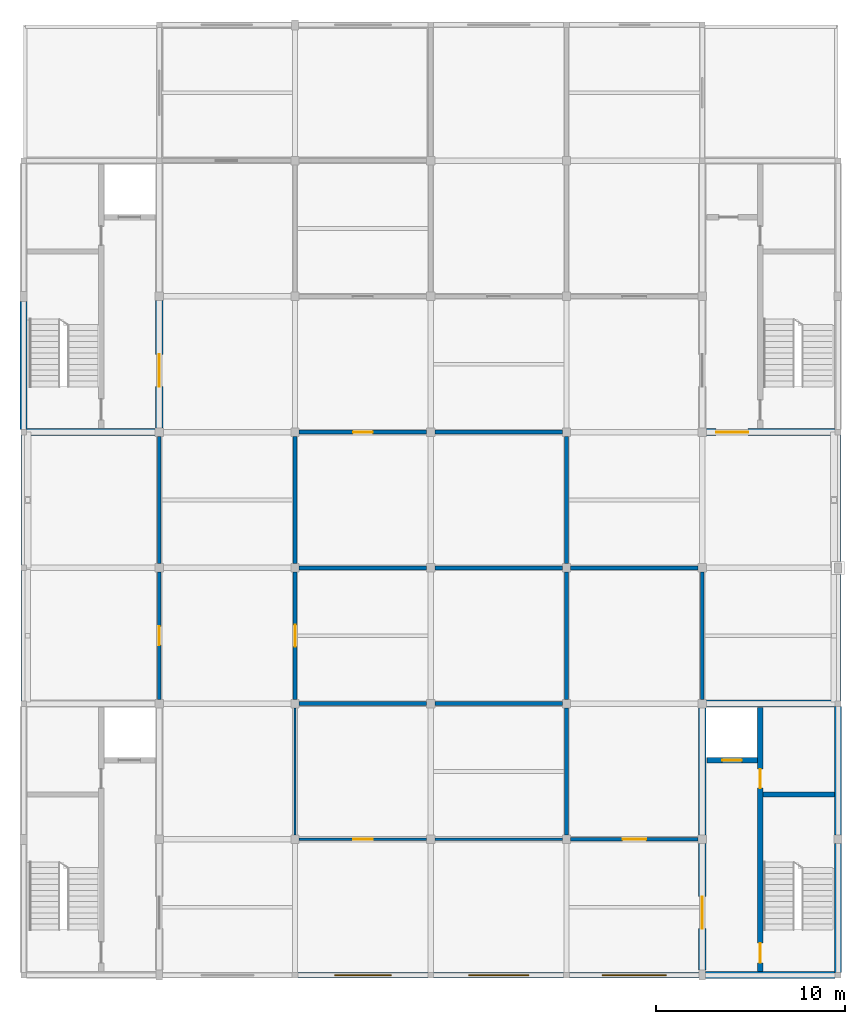
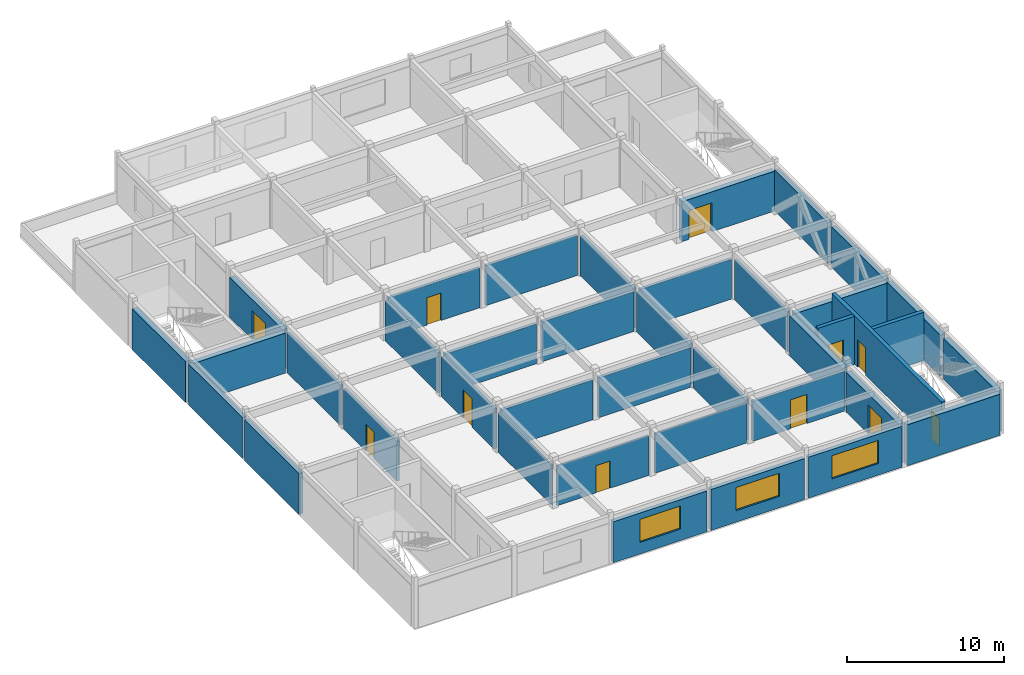
# One storey, part 3 of 6: 39 walls, 11 doors, 3 windows, 14 openings.
"""IFC4 building model written with IfcOpenShell, lengths in metres."""

from ifc_helpers import new_model, si_unit, direction, frame, frame_2d, origin, place, context, subcontext, project, spatial, rectangle, extrude, material, layer, layer_set, type_object, element, fill, save


model = new_model("IFC4")

# Units and contexts
model_context = context("Model", 3, precision=1e-05, world=origin(), true_north=direction((0.0, 1.0)))
body_context = subcontext(model_context, "Body", "Model", "MODEL_VIEW")
ifc_project = project(units=[si_unit("LENGTHUNIT", "METRE"), si_unit("AREAUNIT", "SQUARE_METRE"), si_unit("VOLUMEUNIT", "CUBIC_METRE"), si_unit("PLANEANGLEUNIT", "RADIAN"), si_unit("MASSUNIT", "GRAM", prefix="KILO")], contexts=[model_context])

# Site, building, storey
site_placement = place(None, origin())
site = spatial("IfcSite", under=ifc_project, at=site_placement, CompositionType="ELEMENT")
building_placement = place(site_placement, origin())
building = spatial("IfcBuilding", under=site, at=building_placement, Name="Cendaluz Park School", CompositionType="ELEMENT")
storey_placement = place(building_placement, frame((0.0, 0.0, 59.0)))
storey = spatial("IfcBuildingStorey", under=building, at=storey_placement, Name="L14", CompositionType="ELEMENT", Elevation=59.0)

# Wall, opening, door
ifc_material_1 = material(Name="Gypsum Plasterboard on Cold-Formed Stud", Category="gypsum")
ifc_layer_1 = layer(ifc_material_1, 0.199951171875)
ifc_layer_set_1 = layer_set([ifc_layer_1], Name="Gypsum Plasterboard on Cold-Formed Stud")
wall_type_1 = type_object("IfcWallType", Name="W-AC20", PredefinedType="PARTITIONING", material=ifc_layer_set_1)
wall_1_placement = place(storey_placement, frame((93.820068359375, 21.60009765625, 0.0), z_axis=(0.0, 0.0, 1.0), x_axis=(1.0, 0.0, 0.0)))
wall_1 = element("IfcWall", 1, at=wall_1_placement, inside=storey, type_object=wall_type_1, Name="WL-FO-BK7", PredefinedType="PARTITIONING", context=body_context, shape_type="SweptSolid", body=[
    extrude(rectangle(XDim=6.760009765625, YDim=0.199951171875, at=frame_2d((3.3798828125, 0.0))), origin(), (0.0, 0.0, 1.0), 3.110107421875),
])
opening_1_placement = place(wall_1_placement, frame((2.760009765625, 0.0, 0.0)))
opening_1 = element("IfcOpeningElement", 2, at=opening_1_placement, cuts=wall_1, Name="Opening DCL-09", PredefinedType="OPENING", context=body_context, shape_type="SweptSolid", body=[
    extrude(rectangle(XDim=1.239990234375, YDim=2.260009765625, at=frame_2d((0.6201171875, 1.1298828125))), frame((0.0, 0.112060546875, 0.0), z_axis=(0.0, -1.0, 0.0), x_axis=(1.0, 0.0, 0.0)), (0.0, 0.0, 1.0), 0.223876953125),
])
ifc_material_2 = material(Name="Solid Core Hardwood", Category="wood")
door_type_1 = type_object("IfcDoorType", Name="DCL-09", OperationType="NOTDEFINED", PredefinedType="DOOR", material=ifc_material_2)
door_1_placement = place(opening_1_placement, origin())
door_1 = element("IfcDoor", 3, at=door_1_placement, inside=storey, type_object=door_type_1, Name="D-L14-021", OperationType="SINGLE_SWING_RIGHT", OverallHeight=2.260009765625, OverallWidth=1.239990234375, PredefinedType="DOOR", context=body_context, shape_type="SweptSolid", body=[
    extrude(rectangle(XDim=1.239990234375, YDim=2.260009765625, at=frame_2d((0.6201171875, 1.1298828125))), frame((0.0, 0.02490234375, 0.0), z_axis=(0.0, -1.0, 0.0), x_axis=(1.0, 0.0, 0.0)), (0.0, 0.0, 1.0), 0.050048828125),
])
fill(opening_1, door_1)

# Walls
for number, where, z_axis, x_axis, name in (
    (4, (93.60009765625, 21.820068359375, 0.0), (0.0, 0.0, 1.0), (0.0, 1.0, 0.0), "WL-FO-BK8"),
    (5, (93.820068359375, 36.0, 0.0), (0.0, 0.0, 1.0), (1.0, 0.0, 0.0), "WL-FO-BK9"),
    (6, (100.800048828125, 29.02001953125, 0.0), (0.0, 0.0, 1.0), (0.0, 1.0, 0.0), "WL-FO-BL0"),
):
    element("IfcWall", number, at=place(storey_placement, frame(where, z_axis=z_axis, x_axis=x_axis)), inside=storey, type_object=wall_type_1, Name=name, PredefinedType="PARTITIONING", context=body_context, shape_type="SweptSolid", body=[
        extrude(rectangle(XDim=6.760009765625, YDim=0.199951171875, at=frame_2d((3.3798828125, 0.0))), origin(), (0.0, 0.0, 1.0), 3.110107421875),
    ])

# Wall, opening, door
wall_2_placement = place(storey_placement, frame((72.0, 29.02001953125, 0.0), z_axis=(0.0, 0.0, 1.0), x_axis=(0.0, 1.0, 0.0)))
wall_2 = element("IfcWall", 7, at=wall_2_placement, inside=storey, type_object=wall_type_1, Name="WL-FO-BL2", PredefinedType="PARTITIONING", context=body_context, shape_type="SweptSolid", body=[
    extrude(rectangle(XDim=6.760009765625, YDim=0.199951171875, at=frame_2d((3.3798828125, 0.0))), origin(), (0.0, 0.0, 1.0), 3.110107421875),
])
opening_2_placement = place(wall_2_placement, frame((2.8798828125, 0.0, 0.0)))
opening_2 = element("IfcOpeningElement", 8, at=opening_2_placement, cuts=wall_2, Name="Opening DCL-01", PredefinedType="OPENING", context=body_context, shape_type="SweptSolid", body=[
    extrude(rectangle(XDim=1.0, YDim=2.10009765625, at=frame_2d((0.5, 1.050048828125))), frame((0.0, 0.112060546875, 0.0), z_axis=(0.0, -1.0, 0.0), x_axis=(1.0, 0.0, 0.0)), (0.0, 0.0, 1.0), 0.223876953125),
])
door_type_2 = type_object("IfcDoorType", Name="DCL-01", OperationType="NOTDEFINED", PredefinedType="DOOR", material=ifc_material_2)
door_2_placement = place(opening_2_placement, origin())
door_2 = element("IfcDoor", 9, at=door_2_placement, inside=storey, type_object=door_type_2, Name="D-L14-023", OperationType="SINGLE_SWING_RIGHT", OverallHeight=2.10009765625, OverallWidth=1.0, PredefinedType="DOOR", context=body_context, shape_type="SweptSolid", body=[
    extrude(rectangle(XDim=1.0, YDim=2.10009765625, at=frame_2d((0.5, 1.050048828125))), frame((0.0, 0.02490234375, 0.0), z_axis=(0.0, -1.0, 0.0), x_axis=(1.0, 0.0, 0.0)), (0.0, 0.0, 1.0), 0.050048828125),
])
fill(opening_2, door_2)

# Wall
wall_3_placement = place(storey_placement, frame((72.0, 36.219970703125, 0.0), z_axis=(0.0, 0.0, 1.0), x_axis=(0.0, 1.0, 0.0)))
element("IfcWall", 10, at=wall_3_placement, inside=storey, type_object=wall_type_1, Name="WL-FO-BL3", PredefinedType="PARTITIONING", context=body_context, shape_type="SweptSolid", body=[
    extrude(rectangle(XDim=6.760009765625, YDim=0.199951171875, at=frame_2d((3.3798828125, 0.0))), origin(), (0.0, 0.0, 1.0), 3.110107421875),
])

# Wall, opening, door
wall_4_placement = place(storey_placement, frame((79.419921875, 43.199951171875, 0.0), z_axis=(0.0, 0.0, 1.0), x_axis=(1.0, 0.0, 0.0)))
wall_4 = element("IfcWall", 11, at=wall_4_placement, inside=storey, type_object=wall_type_1, Name="WL-FO-BL7", PredefinedType="PARTITIONING", context=body_context, shape_type="SweptSolid", body=[
    extrude(rectangle(XDim=6.760009765625, YDim=0.199951171875, at=frame_2d((3.3798828125, 0.0))), origin(), (0.0, 0.0, 1.0), 3.110107421875),
])
opening_3_placement = place(wall_4_placement, frame((2.860107421875, 0.0, 0.0)))
opening_3 = element("IfcOpeningElement", 12, at=opening_3_placement, cuts=wall_4, Name="Opening DCL-03", PredefinedType="OPENING", context=body_context, shape_type="SweptSolid", body=[
    extrude(rectangle(XDim=1.0400390625, YDim=2.139892578125, at=frame_2d((0.52001953125, 1.06982421875))), frame((0.0, 0.112060546875, 0.0), z_axis=(0.0, -1.0, 0.0), x_axis=(1.0, 0.0, 0.0)), (0.0, 0.0, 1.0), 0.223876953125),
])
door_type_3 = type_object("IfcDoorType", Name="DCL-03", OperationType="NOTDEFINED", PredefinedType="DOOR", material=ifc_material_2)
door_3_placement = place(opening_3_placement, frame((1.0400390625, 0.0, 0.0), z_axis=(0.0, 0.0, 1.0), x_axis=(-1.0, 0.0, 0.0)))
door_3 = element("IfcDoor", 13, at=door_3_placement, inside=storey, type_object=door_type_3, Name="D-L14-025", OperationType="SINGLE_SWING_RIGHT", OverallHeight=2.139892578125, OverallWidth=1.0400390625, PredefinedType="DOOR", context=body_context, shape_type="SweptSolid", body=[
    extrude(rectangle(XDim=1.0400390625, YDim=2.139892578125, at=frame_2d((0.52001953125, 1.06982421875))), frame((0.0, 0.02490234375, 0.0), z_axis=(0.0, -1.0, 0.0), x_axis=(1.0, 0.0, 0.0)), (0.0, 0.0, 1.0), 0.050048828125),
])
fill(opening_3, door_3)

# Walls
wall_5_placement = place(storey_placement, frame((79.199951171875, 36.219970703125, 0.0), z_axis=(0.0, 0.0, 1.0), x_axis=(0.0, 1.0, 0.0)))
element("IfcWall", 14, at=wall_5_placement, inside=storey, type_object=wall_type_1, Name="WL-FO-BL8", PredefinedType="PARTITIONING", context=body_context, shape_type="SweptSolid", body=[
    extrude(rectangle(XDim=6.760009765625, YDim=0.199951171875, at=frame_2d((3.3798828125, 0.0))), origin(), (0.0, 0.0, 1.0), 3.110107421875),
])
wall_6_placement = place(storey_placement, frame((86.6201171875, 43.199951171875, 0.0), z_axis=(0.0, 0.0, 1.0), x_axis=(1.0, 0.0, 0.0)))
element("IfcWall", 15, at=wall_6_placement, inside=storey, type_object=wall_type_1, Name="WL-FO-BL9", PredefinedType="PARTITIONING", context=body_context, shape_type="SweptSolid", body=[
    extrude(rectangle(XDim=6.759765625, YDim=0.199951171875, at=frame_2d((3.3798828125, 0.0))), origin(), (0.0, 0.0, 1.0), 3.110107421875),
])
wall_7_placement = place(storey_placement, frame((93.60009765625, 36.219970703125, 0.0), z_axis=(0.0, 0.0, 1.0), x_axis=(0.0, 1.0, 0.0)))
element("IfcWall", 16, at=wall_7_placement, inside=storey, type_object=wall_type_1, Name="WL-FO-BM0", PredefinedType="PARTITIONING", context=body_context, shape_type="SweptSolid", body=[
    extrude(rectangle(XDim=6.760009765625, YDim=0.199951171875, at=frame_2d((3.3798828125, 0.0))), origin(), (0.0, 0.0, 1.0), 3.110107421875),
])
ifc_material_3 = material(Name="Cross-laminated timber CLT C24", Category="wood")
ifc_layer_2 = layer(ifc_material_3, 0.300048828125)
ifc_layer_set_2 = layer_set([ifc_layer_2], Name="Cross-laminated timber CLT C24")
wall_type_2 = type_object("IfcWallType", Name="W-EX30", PredefinedType="SOLIDWALL", material=ifc_layer_set_2)
for number, where, z_axis, x_axis, name in (
    (17, (64.800048828125, 28.949951171875, 0.0), (0.0, 0.0, 1.0), (0.0, 1.0, 0.0), "WL-FO-AA0"),
    (18, (64.800048828125, 36.14990234375, 0.0), (0.0, 0.0, 1.0), (0.0, 1.0, 0.0), "WL-FO-AA1"),
):
    element("IfcWall", number, at=place(storey_placement, frame(where, z_axis=z_axis, x_axis=x_axis)), inside=storey, type_object=wall_type_2, Name=name, PredefinedType="SOLIDWALL", context=body_context, shape_type="SweptSolid", body=[
        extrude(rectangle(XDim=6.900146484375, YDim=0.300048828125, at=frame_2d((3.4501953125, 0.0))), origin(), (0.0, 0.0, 1.0), 3.18994140625),
    ])

# Wall, opening, window
wall_8_placement = place(storey_placement, frame((79.35009765625, 14.39990234375, 0.0), z_axis=(0.0, 0.0, 1.0), x_axis=(1.0, 0.0, 0.0)))
wall_8 = element("IfcWall", 19, at=wall_8_placement, inside=storey, type_object=wall_type_2, Name="WL-FO-AA5", PredefinedType="SOLIDWALL", context=body_context, shape_type="SweptSolid", body=[
    extrude(rectangle(XDim=6.89990234375, YDim=0.300048828125, at=frame_2d((3.449951171875, 0.0))), origin(), (0.0, 0.0, 1.0), 3.18994140625),
])
opening_4_placement = place(wall_8_placement, frame((1.949951171875, 0.0, 0.89990234375)))
opening_4 = element("IfcOpeningElement", 20, at=opening_4_placement, cuts=wall_8, Name="Opening WN-07", PredefinedType="OPENING", context=body_context, shape_type="SweptSolid", body=[
    extrude(rectangle(XDim=3.0, YDim=1.800048828125, at=frame_2d((1.5, 0.89990234375))), frame((0.0, 0.162109375, 0.0), z_axis=(0.0, -1.0, 0.0), x_axis=(1.0, 0.0, 0.0)), (0.0, 0.0, 1.0), 0.323974609375),
])
ifc_material_4 = material(Name="Tempered Low-E Double Glazing", Category="glass")
window_type_1 = type_object("IfcWindowType", Name="WN-07", PartitioningType="SINGLE_PANEL", PredefinedType="WINDOW", material=ifc_material_4)
window_1_placement = place(opening_4_placement, origin())
window_1 = element("IfcWindow", 21, at=window_1_placement, inside=storey, type_object=window_type_1, Name="WN-L14-004", OverallHeight=1.800048828125, OverallWidth=3.0, PartitioningType="SINGLE_PANEL", PredefinedType="WINDOW", context=body_context, shape_type="SweptSolid", body=[
    extrude(rectangle(XDim=3.0, YDim=1.800048828125, at=frame_2d((1.5, 0.89990234375))), frame((0.0, 0.030029296875, 0.0), z_axis=(0.0, -1.0, 0.0), x_axis=(1.0, 0.0, 0.0)), (0.0, 0.0, 1.0), 0.06005859375),
])
fill(opening_4, window_1)

wall_9_placement = place(storey_placement, frame((86.550048828125, 14.39990234375, 0.0), z_axis=(0.0, 0.0, 1.0), x_axis=(1.0, 0.0, 0.0)))
wall_9 = element("IfcWall", 22, at=wall_9_placement, inside=storey, type_object=wall_type_2, Name="WL-FO-AA7", PredefinedType="SOLIDWALL", context=body_context, shape_type="SweptSolid", body=[
    extrude(rectangle(XDim=6.89990234375, YDim=0.300048828125, at=frame_2d((3.449951171875, 0.0))), origin(), (0.0, 0.0, 1.0), 3.18994140625),
])
opening_5_placement = place(wall_9_placement, frame((1.85009765625, 0.0, 0.89990234375)))
opening_5 = element("IfcOpeningElement", 23, at=opening_5_placement, cuts=wall_9, Name="Opening WN-08", PredefinedType="OPENING", context=body_context, shape_type="SweptSolid", body=[
    extrude(rectangle(XDim=3.199951171875, YDim=1.800048828125, at=frame_2d((1.60009765625, 0.89990234375))), frame((0.0, 0.162109375, 0.0), z_axis=(0.0, -1.0, 0.0), x_axis=(1.0, 0.0, 0.0)), (0.0, 0.0, 1.0), 0.323974609375),
])
window_type_2 = type_object("IfcWindowType", Name="WN-08", PartitioningType="SINGLE_PANEL", PredefinedType="WINDOW", material=ifc_material_4)
window_2_placement = place(opening_5_placement, origin())
window_2 = element("IfcWindow", 24, at=window_2_placement, inside=storey, type_object=window_type_2, Name="WN-L14-006", OverallHeight=1.800048828125, OverallWidth=3.199951171875, PartitioningType="SINGLE_PANEL", PredefinedType="WINDOW", context=body_context, shape_type="SweptSolid", body=[
    extrude(rectangle(XDim=3.199951171875, YDim=1.800048828125, at=frame_2d((1.60009765625, 0.89990234375))), frame((0.0, 0.030029296875, 0.0), z_axis=(0.0, -1.0, 0.0), x_axis=(1.0, 0.0, 0.0)), (0.0, 0.0, 1.0), 0.06005859375),
])
fill(opening_5, window_2)

wall_10_placement = place(storey_placement, frame((93.75, 14.39990234375, 0.0), z_axis=(0.0, 0.0, 1.0), x_axis=(1.0, 0.0, 0.0)))
wall_10 = element("IfcWall", 25, at=wall_10_placement, inside=storey, type_object=wall_type_2, Name="WL-FO-AA9", PredefinedType="SOLIDWALL", context=body_context, shape_type="SweptSolid", body=[
    extrude(rectangle(XDim=6.8701171875, YDim=0.300048828125, at=frame_2d((3.43505859375, 0.0))), origin(), (0.0, 0.0, 1.0), 3.18994140625),
])
opening_6_placement = place(wall_10_placement, frame((1.735107421875, 0.0, 0.89990234375)))
opening_6 = element("IfcOpeningElement", 26, at=opening_6_placement, cuts=wall_10, Name="Opening WN-09", PredefinedType="OPENING", context=body_context, shape_type="SweptSolid", body=[
    extrude(rectangle(XDim=3.39990234375, YDim=1.800048828125, at=frame_2d((1.699951171875, 0.89990234375))), frame((0.0, 0.162109375, 0.0), z_axis=(0.0, -1.0, 0.0), x_axis=(1.0, 0.0, 0.0)), (0.0, 0.0, 1.0), 0.323974609375),
])
window_type_3 = type_object("IfcWindowType", Name="WN-09", PartitioningType="SINGLE_PANEL", PredefinedType="WINDOW", material=ifc_material_4)
window_3_placement = place(opening_6_placement, origin())
window_3 = element("IfcWindow", 27, at=window_3_placement, inside=storey, type_object=window_type_3, Name="WN-L14-008", OverallHeight=1.800048828125, OverallWidth=3.39990234375, PartitioningType="SINGLE_PANEL", PredefinedType="WINDOW", context=body_context, shape_type="SweptSolid", body=[
    extrude(rectangle(XDim=3.39990234375, YDim=1.800048828125, at=frame_2d((1.699951171875, 0.89990234375))), frame((0.0, 0.030029296875, 0.0), z_axis=(0.0, -1.0, 0.0), x_axis=(1.0, 0.0, 0.0)), (0.0, 0.0, 1.0), 0.06005859375),
])
fill(opening_6, window_3)

# Walls
for number, where, z_axis, x_axis, name in (
    (28, (108.0, 28.949951171875, 0.0), (0.0, 0.0, 1.0), (0.0, 1.0, 0.0), "WL-FO-AB2"),
    (29, (108.0, 36.260009765625, 0.0), (0.0, 0.0, 1.0), (0.0, 1.0, 0.0), "WL-FO-AB3"),
):
    element("IfcWall", number, at=place(storey_placement, frame(where, z_axis=z_axis, x_axis=x_axis)), inside=storey, type_object=wall_type_2, Name=name, PredefinedType="SOLIDWALL", context=body_context, shape_type="SweptSolid", body=[
        extrude(rectangle(XDim=6.7900390625, YDim=0.300048828125, at=frame_2d((3.39501953125, 0.0))), origin(), (0.0, 0.0, 1.0), 3.18994140625),
    ])

# Wall, openings, doors
ifc_material_5 = material(Name="Concrete C40/50", Category="concrete")
ifc_layer_3 = layer(ifc_material_5, 0.280029296875)
ifc_layer_set_3 = layer_set([ifc_layer_3], Name="Concrete C40/50")
wall_type_3 = type_object("IfcWallType", Name="W-FW28", PredefinedType="SHEAR", material=ifc_layer_set_3)
wall_11_placement = place(storey_placement, frame((103.8798828125, 14.60009765625, 0.0), z_axis=(0.0, 0.0, 1.0), x_axis=(0.0, 1.0, 0.0)))
wall_11 = element("IfcWall", 30, at=wall_11_placement, inside=storey, type_object=wall_type_3, Name="WL-FO-BH3", PredefinedType="SHEAR", context=body_context, shape_type="SweptSolid", body=[
    extrude(rectangle(XDim=14.0, YDim=0.280029296875, at=frame_2d((7.0, 0.0))), origin(), (0.0, 0.0, 1.0), 3.760009765625),
])
opening_7_placement = place(wall_11_placement, frame((0.449951171875, 0.0, 0.0)))
opening_7 = element("IfcOpeningElement", 31, at=opening_7_placement, cuts=wall_11, Name="Opening DST-02", PredefinedType="OPENING", context=body_context, shape_type="SweptSolid", body=[
    extrude(rectangle(XDim=1.050048828125, YDim=2.14990234375, at=frame_2d((0.52490234375, 1.074951171875))), frame((0.0, 0.152099609375, 0.0), z_axis=(0.0, -1.0, 0.0), x_axis=(1.0, 0.0, 0.0)), (0.0, 0.0, 1.0), 0.303955078125),
])
opening_8_placement = place(wall_11_placement, frame((9.719970703125, 0.0, 0.0)))
opening_8 = element("IfcOpeningElement", 32, at=opening_8_placement, cuts=wall_11, Name="Opening DFC-01", PredefinedType="OPENING", context=body_context, shape_type="SweptSolid", body=[
    extrude(rectangle(XDim=1.0, YDim=2.14990234375, at=frame_2d((0.5, 1.074951171875))), frame((0.0, 0.152099609375, 0.0), z_axis=(0.0, -1.0, 0.0), x_axis=(1.0, 0.0, 0.0)), (0.0, 0.0, 1.0), 0.303955078125),
])
door_type_4 = type_object("IfcDoorType", Name="DFC-01", OperationType="NOTDEFINED", PredefinedType="DOOR", material=ifc_material_2)
door_4_placement = place(opening_8_placement, frame((1.0, 0.0, 0.0), z_axis=(0.0, 0.0, 1.0), x_axis=(-1.0, 0.0, 0.0)))
door_4 = element("IfcDoor", 33, at=door_4_placement, inside=storey, type_object=door_type_4, Name="D-L14-007", OperationType="SINGLE_SWING_RIGHT", OverallHeight=2.14990234375, OverallWidth=1.0, PredefinedType="DOOR", context=body_context, shape_type="SweptSolid", body=[
    extrude(rectangle(XDim=1.0, YDim=2.14990234375, at=frame_2d((0.5, 1.074951171875))), frame((0.0, 0.02490234375, 0.0), z_axis=(0.0, -1.0, 0.0), x_axis=(1.0, 0.0, 0.0)), (0.0, 0.0, 1.0), 0.050048828125),
])
fill(opening_8, door_4)
door_type_5 = type_object("IfcDoorType", Name="DST-02", OperationType="NOTDEFINED", PredefinedType="DOOR", material=ifc_material_2)
door_5_placement = place(opening_7_placement, frame((1.050048828125, 0.0, 0.0), z_axis=(0.0, 0.0, 1.0), x_axis=(-1.0, 0.0, 0.0)))
door_5 = element("IfcDoor", 34, at=door_5_placement, inside=storey, type_object=door_type_5, Name="D-L14-006", OperationType="SINGLE_SWING_RIGHT", OverallHeight=2.14990234375, OverallWidth=1.050048828125, PredefinedType="DOOR", context=body_context, shape_type="SweptSolid", body=[
    extrude(rectangle(XDim=1.050048828125, YDim=2.14990234375, at=frame_2d((0.52490234375, 1.074951171875))), frame((0.0, 0.02490234375, 0.0), z_axis=(0.0, -1.0, 0.0), x_axis=(1.0, 0.0, 0.0)), (0.0, 0.0, 1.0), 0.050048828125),
])
fill(opening_7, door_5)

# Wall
wall_12_placement = place(storey_placement, frame((104.02001953125, 23.97998046875, 0.0), z_axis=(0.0, 0.0, 1.0), x_axis=(1.0, 0.0, 0.0)))
element("IfcWall", 35, at=wall_12_placement, inside=storey, type_object=wall_type_3, Name="WL-FO-BH4", PredefinedType="SHEAR", context=body_context, shape_type="SweptSolid", body=[
    extrude(rectangle(XDim=3.780029296875, YDim=0.280029296875, at=frame_2d((1.89013671875, 0.0))), origin(), (0.0, 0.0, 1.0), 3.760009765625),
])

# Wall, opening, door
wall_13_placement = place(storey_placement, frame((101.0400390625, 25.800048828125, 0.0), z_axis=(0.0, 0.0, 1.0), x_axis=(1.0, 0.0, 0.0)))
wall_13 = element("IfcWall", 36, at=wall_13_placement, inside=storey, type_object=wall_type_3, Name="WL-FO-BH5", PredefinedType="SHEAR", context=body_context, shape_type="SweptSolid", body=[
    extrude(rectangle(XDim=2.679931640625, YDim=0.280029296875, at=frame_2d((1.33984375, 0.0))), origin(), (0.0, 0.0, 1.0), 3.760009765625),
])
opening_9_placement = place(wall_13_placement, frame((0.81494140625, 0.0, 0.0)))
opening_9 = element("IfcOpeningElement", 37, at=opening_9_placement, cuts=wall_13, Name="Opening LD-02", PredefinedType="OPENING", context=body_context, shape_type="SweptSolid", body=[
    extrude(rectangle(XDim=1.050048828125, YDim=2.199951171875, at=frame_2d((0.52490234375, 1.10009765625))), frame((0.0, 0.152099609375, 0.0), z_axis=(0.0, -1.0, 0.0), x_axis=(1.0, 0.0, 0.0)), (0.0, 0.0, 1.0), 0.303955078125),
])
ifc_material_6 = material(Name="Stainless Steel 316L", Category="steel")
door_type_6 = type_object("IfcDoorType", Name="LD-02", OperationType="DOUBLE_DOOR_SLIDING", PredefinedType="DOOR", material=ifc_material_6)
door_6_placement = place(opening_9_placement, frame((1.050048828125, 0.0, 0.0), z_axis=(0.0, 0.0, 1.0), x_axis=(-1.0, 0.0, 0.0)))
door_6 = element("IfcDoor", 38, at=door_6_placement, inside=storey, type_object=door_type_6, Name="D-L14-008", OperationType="DOUBLE_DOOR_SLIDING", OverallHeight=2.199951171875, OverallWidth=1.050048828125, PredefinedType="DOOR", context=body_context, shape_type="SweptSolid", body=[
    extrude(rectangle(XDim=1.050048828125, YDim=2.199951171875, at=frame_2d((0.52490234375, 1.10009765625))), frame((0.0, 0.02490234375, 0.0), z_axis=(0.0, -1.0, 0.0), x_axis=(1.0, 0.0, 0.0)), (0.0, 0.0, 1.0), 0.050048828125),
])
fill(opening_9, door_6)

# Walls
ifc_layer_4 = layer(ifc_material_1, 0.219970703125)
ifc_layer_set_4 = layer_set([ifc_layer_4], Name="Gypsum Plasterboard on Cold-Formed Stud")
wall_type_4 = type_object("IfcWallType", Name="W-LB22", PredefinedType="PARTITIONING", material=ifc_layer_set_4)
for number, where, z_axis, x_axis, name in (
    (39, (79.419921875, 28.800048828125, 0.0), (0.0, 0.0, 1.0), (1.0, 0.0, 0.0), "WL-FO-BJ7"),
    (40, (79.419921875, 36.0, 0.0), (0.0, 0.0, 1.0), (1.0, 0.0, 0.0), "WL-FO-BJ8"),
):
    element("IfcWall", number, at=place(storey_placement, frame(where, z_axis=z_axis, x_axis=x_axis)), inside=storey, type_object=wall_type_4, Name=name, PredefinedType="PARTITIONING", context=body_context, shape_type="SweptSolid", body=[
        extrude(rectangle(XDim=6.760009765625, YDim=0.219970703125, at=frame_2d((3.3798828125, 0.0))), origin(), (0.0, 0.0, 1.0), 3.110107421875),
    ])

# Wall, opening, door
wall_14_placement = place(storey_placement, frame((79.199951171875, 29.02001953125, 0.0), z_axis=(0.0, 0.0, 1.0), x_axis=(0.0, 1.0, 0.0)))
wall_14 = element("IfcWall", 41, at=wall_14_placement, inside=storey, type_object=wall_type_4, Name="WL-FO-BJ9", PredefinedType="PARTITIONING", context=body_context, shape_type="SweptSolid", body=[
    extrude(rectangle(XDim=6.760009765625, YDim=0.219970703125, at=frame_2d((3.3798828125, 0.0))), origin(), (0.0, 0.0, 1.0), 3.110107421875),
])
opening_10_placement = place(wall_14_placement, frame((2.800048828125, 0.0, 0.0)))
opening_10 = element("IfcOpeningElement", 42, at=opening_10_placement, cuts=wall_14, Name="Opening DCL-07", PredefinedType="OPENING", context=body_context, shape_type="SweptSolid", body=[
    extrude(rectangle(XDim=1.159912109375, YDim=2.219970703125, at=frame_2d((0.580078125, 1.10986328125))), frame((0.0, 0.1220703125, 0.0), z_axis=(0.0, -1.0, 0.0), x_axis=(1.0, 0.0, 0.0)), (0.0, 0.0, 1.0), 0.243896484375),
])
door_type_7 = type_object("IfcDoorType", Name="DCL-07", OperationType="NOTDEFINED", PredefinedType="DOOR", material=ifc_material_2)
door_7_placement = place(opening_10_placement, origin())
door_7 = element("IfcDoor", 43, at=door_7_placement, inside=storey, type_object=door_type_7, Name="D-L14-019", OperationType="SINGLE_SWING_RIGHT", OverallHeight=2.219970703125, OverallWidth=1.159912109375, PredefinedType="DOOR", context=body_context, shape_type="SweptSolid", body=[
    extrude(rectangle(XDim=1.159912109375, YDim=2.219970703125, at=frame_2d((0.580078125, 1.10986328125))), frame((0.0, 0.02490234375, 0.0), z_axis=(0.0, -1.0, 0.0), x_axis=(1.0, 0.0, 0.0)), (0.0, 0.0, 1.0), 0.050048828125),
])
fill(opening_10, door_7)

# Walls
for number, where, z_axis, x_axis, name in (
    (44, (86.6201171875, 28.800048828125, 0.0), (0.0, 0.0, 1.0), (1.0, 0.0, 0.0), "WL-FO-BK0"),
    (45, (86.6201171875, 36.0, 0.0), (0.0, 0.0, 1.0), (1.0, 0.0, 0.0), "WL-FO-BK1"),
):
    element("IfcWall", number, at=place(storey_placement, frame(where, z_axis=z_axis, x_axis=x_axis)), inside=storey, type_object=wall_type_4, Name=name, PredefinedType="PARTITIONING", context=body_context, shape_type="SweptSolid", body=[
        extrude(rectangle(XDim=6.759765625, YDim=0.219970703125, at=frame_2d((3.3798828125, 0.0))), origin(), (0.0, 0.0, 1.0), 3.110107421875),
    ])
wall_15_placement = place(storey_placement, frame((93.60009765625, 29.02001953125, 0.0), z_axis=(0.0, 0.0, 1.0), x_axis=(0.0, 1.0, 0.0)))
element("IfcWall", 46, at=wall_15_placement, inside=storey, type_object=wall_type_4, Name="WL-FO-BK2", PredefinedType="PARTITIONING", context=body_context, shape_type="SweptSolid", body=[
    extrude(rectangle(XDim=6.760009765625, YDim=0.219970703125, at=frame_2d((3.3798828125, 0.0))), origin(), (0.0, 0.0, 1.0), 3.110107421875),
])

# Wall, opening, door
ifc_layer_5 = layer(ifc_material_1, 0.1201171875)
ifc_layer_set_5 = layer_set([ifc_layer_5], Name="Gypsum Plasterboard on Cold-Formed Stud")
wall_type_5 = type_object("IfcWallType", Name="W-MV12", PredefinedType="MOVABLE", material=ifc_layer_set_5)
wall_16_placement = place(storey_placement, frame((79.419921875, 21.60009765625, 0.0), z_axis=(0.0, 0.0, 1.0), x_axis=(1.0, 0.0, 0.0)))
wall_16 = element("IfcWall", 47, at=wall_16_placement, inside=storey, type_object=wall_type_5, Name="WL-FO-BL4", PredefinedType="MOVABLE", context=body_context, shape_type="SweptSolid", body=[
    extrude(rectangle(XDim=6.760009765625, YDim=0.1201171875, at=frame_2d((3.3798828125, 0.0))), origin(), (0.0, 0.0, 1.0), 3.110107421875),
])
opening_11_placement = place(wall_16_placement, frame((2.8701171875, 0.0, 0.0)))
opening_11 = element("IfcOpeningElement", 48, at=opening_11_placement, cuts=wall_16, Name="Opening DCL-02", PredefinedType="OPENING", context=body_context, shape_type="SweptSolid", body=[
    extrude(rectangle(XDim=1.02001953125, YDim=2.1201171875, at=frame_2d((0.510009765625, 1.06005859375))), frame((0.0, 0.072021484375, 0.0), z_axis=(0.0, -1.0, 0.0), x_axis=(1.0, 0.0, 0.0)), (0.0, 0.0, 1.0), 0.14404296875),
])
door_type_8 = type_object("IfcDoorType", Name="DCL-02", OperationType="NOTDEFINED", PredefinedType="DOOR", material=ifc_material_2)
door_8_placement = place(opening_11_placement, origin())
door_8 = element("IfcDoor", 49, at=door_8_placement, inside=storey, type_object=door_type_8, Name="D-L14-024", OperationType="SINGLE_SWING_LEFT", OverallHeight=2.1201171875, OverallWidth=1.02001953125, PredefinedType="DOOR", context=body_context, shape_type="SweptSolid", body=[
    extrude(rectangle(XDim=1.02001953125, YDim=2.1201171875, at=frame_2d((0.510009765625, 1.06005859375))), frame((0.0, 0.02490234375, 0.0), z_axis=(0.0, -1.0, 0.0), x_axis=(1.0, 0.0, 0.0)), (0.0, 0.0, 1.0), 0.050048828125),
])
fill(opening_11, door_8)

# Walls
wall_17_placement = place(storey_placement, frame((79.199951171875, 21.820068359375, 0.0), z_axis=(0.0, 0.0, 1.0), x_axis=(0.0, 1.0, 0.0)))
element("IfcWall", 50, at=wall_17_placement, inside=storey, type_object=wall_type_5, Name="WL-FO-BL5", PredefinedType="MOVABLE", context=body_context, shape_type="SweptSolid", body=[
    extrude(rectangle(XDim=6.760009765625, YDim=0.1201171875, at=frame_2d((3.3798828125, 0.0))), origin(), (0.0, 0.0, 1.0), 3.110107421875),
])
wall_18_placement = place(storey_placement, frame((86.6201171875, 21.60009765625, 0.0), z_axis=(0.0, 0.0, 1.0), x_axis=(1.0, 0.0, 0.0)))
element("IfcWall", 51, at=wall_18_placement, inside=storey, type_object=wall_type_5, Name="WL-FO-BL6", PredefinedType="MOVABLE", context=body_context, shape_type="SweptSolid", body=[
    extrude(rectangle(XDim=6.759765625, YDim=0.1201171875, at=frame_2d((3.3798828125, 0.0))), origin(), (0.0, 0.0, 1.0), 3.110107421875),
])

# Wall, opening, door
ifc_layer_6 = layer(ifc_material_5, 0.3798828125)
ifc_layer_set_6 = layer_set([ifc_layer_6], Name="Concrete C40/50")
wall_type_6 = type_object("IfcWallType", Name="W-SH38", PredefinedType="SHEAR", material=ifc_layer_set_6)
wall_19_placement = place(storey_placement, frame((100.800048828125, 14.659912109375, 0.0), z_axis=(0.0, 0.0, 1.0), x_axis=(0.0, 1.0, 0.0)))
wall_19 = element("IfcWall", 52, at=wall_19_placement, inside=storey, type_object=wall_type_6, Name="WL-FO-BG7", PredefinedType="SHEAR", context=body_context, shape_type="SweptSolid", body=[
    extrude(rectangle(XDim=6.719970703125, YDim=0.3798828125, at=frame_2d((3.35986328125, 0.0))), origin(), (0.0, 0.0, 1.0), 3.110107421875),
])
opening_12_placement = place(wall_19_placement, frame((2.199951171875, 0.0, 0.0)))
opening_12 = element("IfcOpeningElement", 53, at=opening_12_placement, cuts=wall_19, Name="Opening DLB-02", PredefinedType="OPENING", context=body_context, shape_type="SweptSolid", body=[
    extrude(rectangle(XDim=1.699951171875, YDim=2.25, at=frame_2d((0.85009765625, 1.125))), frame((0.0, 0.201904296875, 0.0), z_axis=(0.0, -1.0, 0.0), x_axis=(1.0, 0.0, 0.0)), (0.0, 0.0, 1.0), 0.40380859375),
])
door_type_9 = type_object("IfcDoorType", Name="DLB-02", OperationType="DOUBLE_DOOR_SINGLE_SWING", PredefinedType="DOOR", material=ifc_material_2)
door_9_placement = place(opening_12_placement, frame((1.699951171875, 0.0, 0.0), z_axis=(0.0, 0.0, 1.0), x_axis=(-1.0, 0.0, 0.0)))
door_9 = element("IfcDoor", 54, at=door_9_placement, inside=storey, type_object=door_type_9, Name="D-L14-005", OperationType="DOUBLE_DOOR_SINGLE_SWING", OverallHeight=2.25, OverallWidth=1.699951171875, PredefinedType="DOOR", context=body_context, shape_type="SweptSolid", body=[
    extrude(rectangle(XDim=1.699951171875, YDim=2.25, at=frame_2d((0.85009765625, 1.125))), frame((0.0, 0.02490234375, 0.0), z_axis=(0.0, -1.0, 0.0), x_axis=(1.0, 0.0, 0.0)), (0.0, 0.0, 1.0), 0.050048828125),
])
fill(opening_12, door_9)

# Walls
wall_20_placement = place(storey_placement, frame((100.800048828125, 21.820068359375, 0.0), z_axis=(0.0, 0.0, 1.0), x_axis=(0.0, 1.0, 0.0)))
element("IfcWall", 55, at=wall_20_placement, inside=storey, type_object=wall_type_6, Name="WL-FO-BG8", PredefinedType="SHEAR", context=body_context, shape_type="SweptSolid", body=[
    extrude(rectangle(XDim=6.760009765625, YDim=0.3798828125, at=frame_2d((3.3798828125, 0.0))), origin(), (0.0, 0.0, 1.0), 3.110107421875),
])
for number, where, z_axis, x_axis, name in (
    (56, (108.0, 14.550048828125, 0.0), (0.0, 0.0, 1.0), (0.0, 1.0, 0.0), "WL-FO-BG9"),
    (57, (108.0, 21.820068359375, 0.0), (0.0, 0.0, 1.0), (0.0, 1.0, 0.0), "WL-FO-BH0"),
):
    element("IfcWall", number, at=place(storey_placement, frame(where, z_axis=z_axis, x_axis=x_axis)), inside=storey, type_object=wall_type_6, Name=name, PredefinedType="SHEAR", context=body_context, shape_type="SweptSolid", body=[
        extrude(rectangle(XDim=6.829833984375, YDim=0.3798828125, at=frame_2d((3.4150390625, 0.0))), origin(), (0.0, 0.0, 1.0), 3.18994140625),
    ])
wall_21_placement = place(storey_placement, frame((100.97998046875, 14.39990234375, 0.0), z_axis=(0.0, 0.0, 1.0), x_axis=(1.0, 0.0, 0.0)))
element("IfcWall", 58, at=wall_21_placement, inside=storey, type_object=wall_type_6, Name="WL-FO-BH1", PredefinedType="SHEAR", context=body_context, shape_type="SweptSolid", body=[
    extrude(rectangle(XDim=6.8701171875, YDim=0.3798828125, at=frame_2d((3.43505859375, 0.0))), origin(), (0.0, 0.0, 1.0), 3.18994140625),
])
wall_22_placement = place(storey_placement, frame((101.02001953125, 28.800048828125, 0.0), z_axis=(0.0, 0.0, 1.0), x_axis=(1.0, 0.0, 0.0)))
element("IfcWall", 59, at=wall_22_placement, inside=storey, type_object=wall_type_6, Name="WL-FO-BH2", PredefinedType="SHEAR", context=body_context, shape_type="SweptSolid", body=[
    extrude(rectangle(XDim=6.830078125, YDim=0.3798828125, at=frame_2d((3.4150390625, 0.0))), origin(), (0.0, 0.0, 1.0), 3.110107421875),
])
wall_23_placement = place(storey_placement, frame((64.800048828125, 43.35009765625, 0.0), z_axis=(0.0, 0.0, 1.0), x_axis=(0.0, 1.0, 0.0)))
element("IfcWall", 60, at=wall_23_placement, inside=storey, type_object=wall_type_6, Name="WL-FO-BH6", PredefinedType="SHEAR", context=body_context, shape_type="SweptSolid", body=[
    extrude(rectangle(XDim=6.789794921875, YDim=0.3798828125, at=frame_2d((3.39501953125, 0.0))), origin(), (0.0, 0.0, 1.0), 3.18994140625),
])

# Wall, opening, door
wall_24_placement = place(storey_placement, frame((72.0, 43.419921875, 0.0), z_axis=(0.0, 0.0, 1.0), x_axis=(0.0, 1.0, 0.0)))
wall_24 = element("IfcWall", 61, at=wall_24_placement, inside=storey, type_object=wall_type_6, Name="WL-FO-BH8", PredefinedType="SHEAR", context=body_context, shape_type="SweptSolid", body=[
    extrude(rectangle(XDim=6.760009765625, YDim=0.3798828125, at=frame_2d((3.3798828125, 0.0))), origin(), (0.0, 0.0, 1.0), 3.110107421875),
])
opening_13_placement = place(wall_24_placement, frame((2.199951171875, 0.0, 0.0)))
opening_13 = element("IfcOpeningElement", 62, at=opening_13_placement, cuts=wall_24, Name="Opening DLB-02", PredefinedType="OPENING", context=body_context, shape_type="SweptSolid", body=[
    extrude(rectangle(XDim=1.699951171875, YDim=2.25, at=frame_2d((0.85009765625, 1.125))), frame((0.0, 0.201904296875, 0.0), z_axis=(0.0, -1.0, 0.0), x_axis=(1.0, 0.0, 0.0)), (0.0, 0.0, 1.0), 0.40380859375),
])
door_10_placement = place(opening_13_placement, origin())
door_10 = element("IfcDoor", 63, at=door_10_placement, inside=storey, type_object=door_type_9, Name="D-L14-009", OperationType="DOUBLE_DOOR_SINGLE_SWING", OverallHeight=2.25, OverallWidth=1.699951171875, PredefinedType="DOOR", context=body_context, shape_type="SweptSolid", body=[
    extrude(rectangle(XDim=1.699951171875, YDim=2.25, at=frame_2d((0.85009765625, 1.125))), frame((0.0, 0.02490234375, 0.0), z_axis=(0.0, -1.0, 0.0), x_axis=(1.0, 0.0, 0.0)), (0.0, 0.0, 1.0), 0.050048828125),
])
fill(opening_13, door_10)

# Wall
wall_25_placement = place(storey_placement, frame((64.949951171875, 43.199951171875, 0.0), z_axis=(0.0, 0.0, 1.0), x_axis=(1.0, 0.0, 0.0)))
element("IfcWall", 64, at=wall_25_placement, inside=storey, type_object=wall_type_6, Name="WL-FO-BI0", PredefinedType="SHEAR", context=body_context, shape_type="SweptSolid", body=[
    extrude(rectangle(XDim=6.830078125, YDim=0.3798828125, at=frame_2d((3.4150390625, 0.0))), origin(), (0.0, 0.0, 1.0), 3.110107421875),
])

# Wall, opening, door
wall_26_placement = place(storey_placement, frame((101.02001953125, 43.199951171875, 0.0), z_axis=(0.0, 0.0, 1.0), x_axis=(1.0, 0.0, 0.0)))
wall_26 = element("IfcWall", 65, at=wall_26_placement, inside=storey, type_object=wall_type_6, Name="WL-FO-BI9", PredefinedType="SHEAR", context=body_context, shape_type="SweptSolid", body=[
    extrude(rectangle(XDim=6.830078125, YDim=0.3798828125, at=frame_2d((3.4150390625, 0.0))), origin(), (0.0, 0.0, 1.0), 3.110107421875),
])
opening_14_placement = place(wall_26_placement, frame((0.510009765625, 0.0, 0.0)))
opening_14 = element("IfcOpeningElement", 66, at=opening_14_placement, cuts=wall_26, Name="Opening DLB-02", PredefinedType="OPENING", context=body_context, shape_type="SweptSolid", body=[
    extrude(rectangle(XDim=1.699951171875, YDim=2.25, at=frame_2d((0.85009765625, 1.125))), frame((0.0, 0.201904296875, 0.0), z_axis=(0.0, -1.0, 0.0), x_axis=(1.0, 0.0, 0.0)), (0.0, 0.0, 1.0), 0.40380859375),
])
door_11_placement = place(opening_14_placement, origin())
door_11 = element("IfcDoor", 67, at=door_11_placement, inside=storey, type_object=door_type_9, Name="D-L14-014", OperationType="DOUBLE_DOOR_SINGLE_SWING", OverallHeight=2.25, OverallWidth=1.699951171875, PredefinedType="DOOR", context=body_context, shape_type="SweptSolid", body=[
    extrude(rectangle(XDim=1.699951171875, YDim=2.25, at=frame_2d((0.85009765625, 1.125))), frame((0.0, 0.02490234375, 0.0), z_axis=(0.0, -1.0, 0.0), x_axis=(1.0, 0.0, 0.0)), (0.0, 0.0, 1.0), 0.050048828125),
])
fill(opening_14, door_11)

save(model, "model.ifc")
